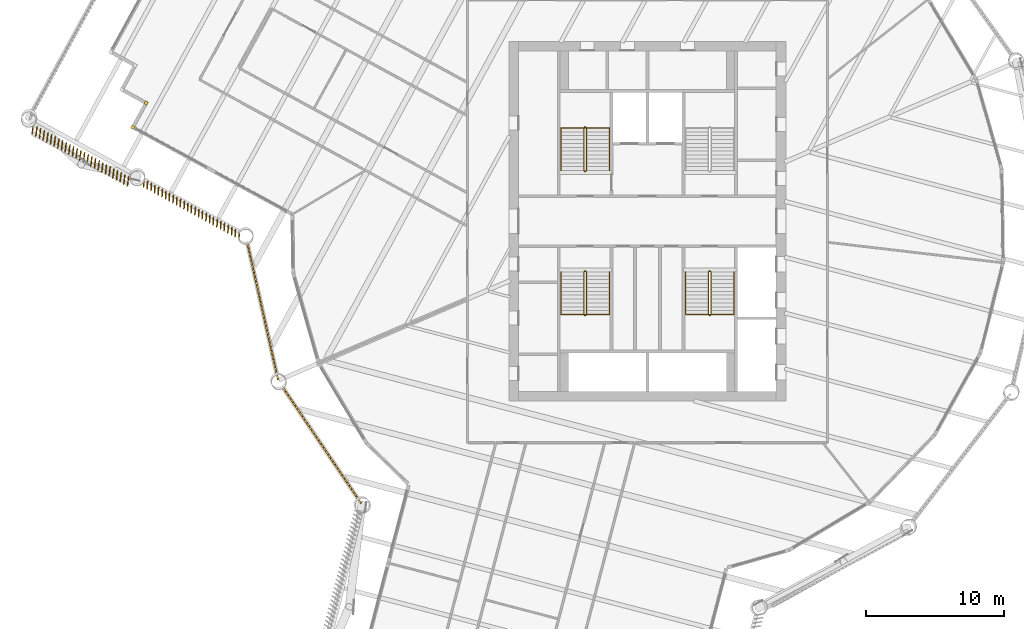
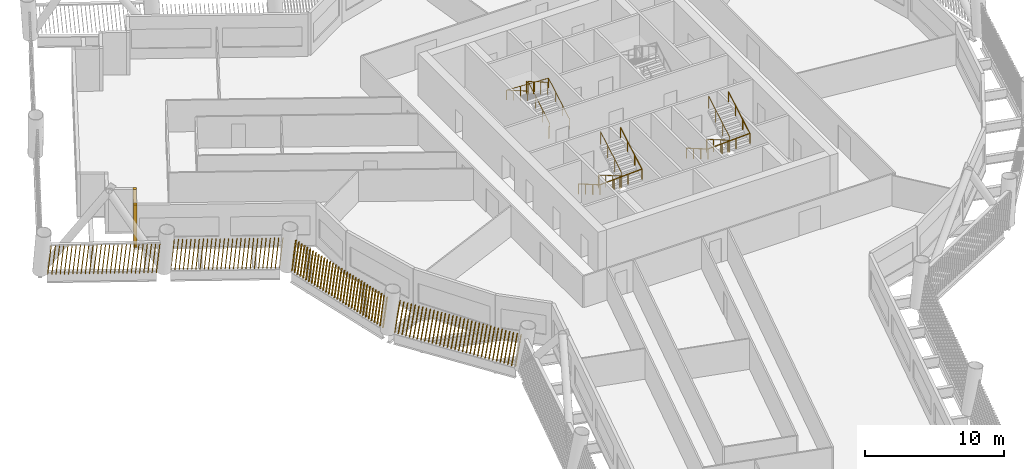
# One storey, part 21 of 24: 6 railings, 6 shading devices.
"""IFC4 building model written with IfcOpenShell, lengths in metres."""

from ifc_helpers import new_model, si_unit, direction, frame, frame_2d, origin, origin_2d, place, context, subcontext, project, spatial, rectangle, circle, composite_profile, extrude, material, type_object, element, save


model = new_model("IFC4")

# Units and contexts
model_context = context("Model", 3, precision=1e-05, world=origin(), true_north=direction((0.0, 1.0)))
body_context = subcontext(model_context, "Body", "Model", "MODEL_VIEW")
ifc_project = project(units=[si_unit("LENGTHUNIT", "METRE"), si_unit("AREAUNIT", "SQUARE_METRE"), si_unit("VOLUMEUNIT", "CUBIC_METRE"), si_unit("PLANEANGLEUNIT", "RADIAN"), si_unit("MASSUNIT", "GRAM", prefix="KILO")], contexts=[model_context])

# Site, building, storey
site_placement = place(None, origin())
site = spatial("IfcSite", under=ifc_project, at=site_placement, CompositionType="ELEMENT")
building_placement = place(site_placement, origin())
building = spatial("IfcBuilding", under=site, at=building_placement, Name="Tarsis Ring Headquarters", CompositionType="ELEMENT")
storey_placement = place(building_placement, frame((0.0, 0.0, 163.199951171875)))
storey = spatial("IfcBuildingStorey", under=building, at=storey_placement, Name="L37", CompositionType="ELEMENT", Elevation=163.199951171875)

# Railings
ifc_material_1 = material(Name="Steel S355", Category="steel")
railing_type_1 = type_object("IfcRailingType", Name="Core stair guard 1100", PredefinedType="GUARDRAIL", material=ifc_material_1)
railing_1_placement = place(storey_placement, frame((-4.5400390625, 3.610107421875, 0.0)))
element("IfcRailing", 1, at=railing_1_placement, inside=storey, type_object=railing_type_1, Name="L37 ST1 stair guard 1", PredefinedType="GUARDRAIL", context=body_context, shape_type="SweptSolid", body=[
    extrude(circle(Radius=0.02392578125, at=origin_2d()), frame((0.0, 0.0, 1.076171875), z_axis=(1.0, 0.0, 0.0), x_axis=(0.0, 1.0, 0.0)), (0.0, 0.0, 1.0), 0.080078125),
    extrude(circle(Radius=0.02392578125, at=origin_2d()), frame((0.080078125, 0.0, 1.076171875), z_axis=(0.282336740067, 0.280959487676, 0.917250092119), x_axis=(-0.705375805398, 0.708833529934, 0.0)), (0.0, 0.0, 1.0), 0.17724609375),
    extrude(circle(Radius=0.02392578125, at=origin_2d()), frame((0.130126953125, 0.0498046875, 1.23876953125), z_axis=(0.0, 0.864920483161, 0.501908913857), x_axis=(-1.0, 0.0, 0.0)), (0.0, 0.0, 1.0), 3.56103515625),
    extrude(circle(Radius=0.02392578125, at=origin_2d()), frame((0.130126953125, 3.1298828125, 3.02587890625), z_axis=(-0.707106781187, 0.707106781187, 0.0), x_axis=(-0.707106781187, -0.707106781187, 0.0)), (0.0, 0.0, 1.0), 0.07080078125),
    extrude(circle(Radius=0.02392578125, at=origin_2d()), frame((0.080078125, 3.179931640625, 3.02587890625), z_axis=(-1.0, 0.0, 0.0), x_axis=(0.0, -1.0, 0.0)), (0.0, 0.0, 1.0), 0.080078125),
    extrude(circle(Radius=0.02392578125, at=origin_2d()), frame((0.0, 3.179931640625, 3.02587890625), z_axis=(-0.282227285176, -0.282227285176, 0.916894497205), x_axis=(0.707106781187, -0.707106781187, 0.0)), (0.0, 0.0, 1.0), 0.17724609375),
    extrude(circle(Radius=0.02392578125, at=origin_2d()), frame((-0.050048828125, 3.1298828125, 3.1884765625), z_axis=(0.0, -0.864890721111, 0.501960198159), x_axis=(1.0, 0.0, 0.0)), (0.0, 0.0, 1.0), 3.561279296875),
    extrude(circle(Radius=0.02099609375, at=origin_2d()), origin(), (0.0, 0.0, 1.0), 1.052001953125),
    extrude(circle(Radius=0.02099609375, at=origin_2d()), frame((0.080078125, 0.0, 0.0)), (0.0, 0.0, 1.0), 1.052001953125),
    extrude(circle(Radius=0.02099609375, at=origin_2d()), frame((0.130126953125, 0.0498046875, 0.16259765625)), (0.0, 0.0, 1.0), 1.052001953125),
    extrude(circle(Radius=0.02099609375, at=origin_2d()), frame((0.130126953125, 1.076416015625, 0.75830078125)), (0.0, 0.0, 1.0), 1.052001953125),
    extrude(circle(Radius=0.02099609375, at=origin_2d()), frame((0.130126953125, 2.103271484375, 1.354248046875)), (0.0, 0.0, 1.0), 1.052001953125),
    extrude(circle(Radius=0.02099609375, at=origin_2d()), frame((0.130126953125, 3.1298828125, 1.949951171875)), (0.0, 0.0, 1.0), 1.052001953125),
    extrude(circle(Radius=0.02099609375, at=origin_2d()), frame((0.080078125, 3.179931640625, 1.949951171875)), (0.0, 0.0, 1.0), 1.052001953125),
    extrude(circle(Radius=0.02099609375, at=origin_2d()), frame((0.0, 3.179931640625, 1.949951171875)), (0.0, 0.0, 1.0), 1.052001953125),
    extrude(circle(Radius=0.02099609375, at=origin_2d()), frame((-0.050048828125, 3.1298828125, 2.112548828125)), (0.0, 0.0, 1.0), 1.052001953125),
    extrude(circle(Radius=0.02099609375, at=origin_2d()), frame((-0.050048828125, 2.103271484375, 2.70849609375)), (0.0, 0.0, 1.0), 1.052001953125),
    extrude(circle(Radius=0.02099609375, at=origin_2d()), frame((-0.050048828125, 1.076416015625, 3.30419921875)), (0.0, 0.0, 1.0), 1.052001953125),
    extrude(circle(Radius=0.02099609375, at=origin_2d()), frame((-0.050048828125, 0.0498046875, 3.900146484375)), (0.0, 0.0, 1.0), 1.052001953125),
])
railing_2_placement = place(storey_placement, frame((-4.4599609375, -3.610107421875, 0.0)))
element("IfcRailing", 2, at=railing_2_placement, inside=storey, type_object=railing_type_1, Name="L37 ST3 stair guard 1", PredefinedType="GUARDRAIL", context=body_context, shape_type="SweptSolid", body=[
    extrude(circle(Radius=0.02392578125, at=origin_2d()), frame((0.0, 0.0, 1.076171875), z_axis=(-1.0, 0.0, 0.0), x_axis=(0.0, -1.0, 0.0)), (0.0, 0.0, 1.0), 0.080078125),
    extrude(circle(Radius=0.02392578125, at=origin_2d()), frame((-0.080078125, 0.0, 1.076171875), z_axis=(-0.282336740067, -0.280959487676, 0.917250092119), x_axis=(0.705375805398, -0.708833529934, 0.0)), (0.0, 0.0, 1.0), 0.17724609375),
    extrude(circle(Radius=0.02392578125, at=origin_2d()), frame((-0.130126953125, -0.0498046875, 1.23876953125), z_axis=(0.0, -0.864920483161, 0.501908913857), x_axis=(1.0, 0.0, 0.0)), (0.0, 0.0, 1.0), 3.56103515625),
    extrude(circle(Radius=0.02392578125, at=origin_2d()), frame((-0.130126953125, -3.1298828125, 3.02587890625), z_axis=(0.707106781187, -0.707106781187, 0.0), x_axis=(0.707106781187, 0.707106781187, 0.0)), (0.0, 0.0, 1.0), 0.07080078125),
    extrude(circle(Radius=0.02392578125, at=origin_2d()), frame((-0.080078125, -3.179931640625, 3.02587890625), z_axis=(1.0, 0.0, 0.0), x_axis=(0.0, 1.0, 0.0)), (0.0, 0.0, 1.0), 0.080078125),
    extrude(circle(Radius=0.02392578125, at=origin_2d()), frame((0.0, -3.179931640625, 3.02587890625), z_axis=(0.282227285176, 0.282227285176, 0.916894497205), x_axis=(-0.707106781187, 0.707106781187, 0.0)), (0.0, 0.0, 1.0), 0.17724609375),
    extrude(circle(Radius=0.02392578125, at=origin_2d()), frame((0.050048828125, -3.1298828125, 3.1884765625), z_axis=(0.0, 0.864890721111, 0.501960198159), x_axis=(-1.0, 0.0, 0.0)), (0.0, 0.0, 1.0), 3.561279296875),
    extrude(circle(Radius=0.02099609375, at=origin_2d()), origin(), (0.0, 0.0, 1.0), 1.052001953125),
    extrude(circle(Radius=0.02099609375, at=origin_2d()), frame((-0.080078125, 0.0, 0.0)), (0.0, 0.0, 1.0), 1.052001953125),
    extrude(circle(Radius=0.02099609375, at=origin_2d()), frame((-0.130126953125, -0.0498046875, 0.16259765625)), (0.0, 0.0, 1.0), 1.052001953125),
    extrude(circle(Radius=0.02099609375, at=origin_2d()), frame((-0.130126953125, -1.076416015625, 0.75830078125)), (0.0, 0.0, 1.0), 1.052001953125),
    extrude(circle(Radius=0.02099609375, at=origin_2d()), frame((-0.130126953125, -2.103271484375, 1.354248046875)), (0.0, 0.0, 1.0), 1.052001953125),
    extrude(circle(Radius=0.02099609375, at=origin_2d()), frame((-0.130126953125, -3.1298828125, 1.949951171875)), (0.0, 0.0, 1.0), 1.052001953125),
    extrude(circle(Radius=0.02099609375, at=origin_2d()), frame((-0.080078125, -3.179931640625, 1.949951171875)), (0.0, 0.0, 1.0), 1.052001953125),
    extrude(circle(Radius=0.02099609375, at=origin_2d()), frame((0.0, -3.179931640625, 1.949951171875)), (0.0, 0.0, 1.0), 1.052001953125),
    extrude(circle(Radius=0.02099609375, at=origin_2d()), frame((0.050048828125, -3.1298828125, 2.112548828125)), (0.0, 0.0, 1.0), 1.052001953125),
    extrude(circle(Radius=0.02099609375, at=origin_2d()), frame((0.050048828125, -2.103271484375, 2.70849609375)), (0.0, 0.0, 1.0), 1.052001953125),
    extrude(circle(Radius=0.02099609375, at=origin_2d()), frame((0.050048828125, -1.076416015625, 3.30419921875)), (0.0, 0.0, 1.0), 1.052001953125),
    extrude(circle(Radius=0.02099609375, at=origin_2d()), frame((0.050048828125, -0.0498046875, 3.900146484375)), (0.0, 0.0, 1.0), 1.052001953125),
])
railing_3_placement = place(storey_placement, frame((4.5400390625, -3.610107421875, 0.0)))
element("IfcRailing", 3, at=railing_3_placement, inside=storey, type_object=railing_type_1, Name="L37 ST4 stair guard 1", PredefinedType="GUARDRAIL", context=body_context, shape_type="SweptSolid", body=[
    extrude(circle(Radius=0.02392578125, at=origin_2d()), frame((0.0, 0.0, 1.076171875), z_axis=(-1.0, 0.0, 0.0), x_axis=(0.0, -1.0, 0.0)), (0.0, 0.0, 1.0), 0.080078125),
    extrude(circle(Radius=0.02392578125, at=origin_2d()), frame((-0.080078125, 0.0, 1.076171875), z_axis=(-0.282336740067, -0.280959487676, 0.917250092119), x_axis=(0.705375805398, -0.708833529934, 0.0)), (0.0, 0.0, 1.0), 0.17724609375),
    extrude(circle(Radius=0.02392578125, at=origin_2d()), frame((-0.130126953125, -0.0498046875, 1.23876953125), z_axis=(0.0, -0.864920483161, 0.501908913857), x_axis=(1.0, 0.0, 0.0)), (0.0, 0.0, 1.0), 3.56103515625),
    extrude(circle(Radius=0.02392578125, at=origin_2d()), frame((-0.130126953125, -3.1298828125, 3.02587890625), z_axis=(0.707106781187, -0.707106781187, 0.0), x_axis=(0.707106781187, 0.707106781187, 0.0)), (0.0, 0.0, 1.0), 0.07080078125),
    extrude(circle(Radius=0.02392578125, at=origin_2d()), frame((-0.080078125, -3.179931640625, 3.02587890625), z_axis=(1.0, 0.0, 0.0), x_axis=(0.0, 1.0, 0.0)), (0.0, 0.0, 1.0), 0.080078125),
    extrude(circle(Radius=0.02392578125, at=origin_2d()), frame((0.0, -3.179931640625, 3.02587890625), z_axis=(0.282227285176, 0.282227285176, 0.916894497205), x_axis=(-0.707106781187, 0.707106781187, 0.0)), (0.0, 0.0, 1.0), 0.17724609375),
    extrude(circle(Radius=0.02392578125, at=origin_2d()), frame((0.050048828125, -3.1298828125, 3.1884765625), z_axis=(0.0, 0.864890721111, 0.501960198159), x_axis=(-1.0, 0.0, 0.0)), (0.0, 0.0, 1.0), 3.561279296875),
    extrude(circle(Radius=0.02099609375, at=origin_2d()), origin(), (0.0, 0.0, 1.0), 1.052001953125),
    extrude(circle(Radius=0.02099609375, at=origin_2d()), frame((-0.080078125, 0.0, 0.0)), (0.0, 0.0, 1.0), 1.052001953125),
    extrude(circle(Radius=0.02099609375, at=origin_2d()), frame((-0.130126953125, -0.0498046875, 0.16259765625)), (0.0, 0.0, 1.0), 1.052001953125),
    extrude(circle(Radius=0.02099609375, at=origin_2d()), frame((-0.130126953125, -1.076416015625, 0.75830078125)), (0.0, 0.0, 1.0), 1.052001953125),
    extrude(circle(Radius=0.02099609375, at=origin_2d()), frame((-0.130126953125, -2.103271484375, 1.354248046875)), (0.0, 0.0, 1.0), 1.052001953125),
    extrude(circle(Radius=0.02099609375, at=origin_2d()), frame((-0.130126953125, -3.1298828125, 1.949951171875)), (0.0, 0.0, 1.0), 1.052001953125),
    extrude(circle(Radius=0.02099609375, at=origin_2d()), frame((-0.080078125, -3.179931640625, 1.949951171875)), (0.0, 0.0, 1.0), 1.052001953125),
    extrude(circle(Radius=0.02099609375, at=origin_2d()), frame((0.0, -3.179931640625, 1.949951171875)), (0.0, 0.0, 1.0), 1.052001953125),
    extrude(circle(Radius=0.02099609375, at=origin_2d()), frame((0.050048828125, -3.1298828125, 2.112548828125)), (0.0, 0.0, 1.0), 1.052001953125),
    extrude(circle(Radius=0.02099609375, at=origin_2d()), frame((0.050048828125, -2.103271484375, 2.70849609375)), (0.0, 0.0, 1.0), 1.052001953125),
    extrude(circle(Radius=0.02099609375, at=origin_2d()), frame((0.050048828125, -1.076416015625, 3.30419921875)), (0.0, 0.0, 1.0), 1.052001953125),
    extrude(circle(Radius=0.02099609375, at=origin_2d()), frame((0.050048828125, -0.0498046875, 3.900146484375)), (0.0, 0.0, 1.0), 1.052001953125),
])
railing_type_2 = type_object("IfcRailingType", Name="Core stair handrail 900", PredefinedType="HANDRAIL", material=ifc_material_1)
railing_4_placement = place(storey_placement, frame((-2.75, 3.659912109375, 0.16259765625)))
element("IfcRailing", 4, at=railing_4_placement, inside=storey, type_object=railing_type_2, Name="L37 ST1 stair handrail 1", PredefinedType="HANDRAIL", context=body_context, shape_type="SweptSolid", body=[
    extrude(circle(Radius=0.02392578125, at=origin_2d()), frame((0.0, 0.0, 0.8759765625), z_axis=(0.0, 0.864920483161, 0.501908913857), x_axis=(-1.0, 0.0, 0.0)), (0.0, 0.0, 1.0), 3.56103515625),
    extrude(circle(Radius=0.02392578125, at=origin_2d()), frame((0.0, 3.080078125, 2.6630859375), z_axis=(-0.998922641604, 0.0, 0.046406422943), x_axis=(0.0, -1.0, 0.0)), (0.0, 0.0, 1.0), 3.503662109375),
    extrude(circle(Radius=0.02392578125, at=origin_2d()), frame((-3.5, 3.080078125, 2.82568359375), z_axis=(0.0, -0.864890721111, 0.501960198159), x_axis=(1.0, 0.0, 0.0)), (0.0, 0.0, 1.0), 3.561279296875),
    extrude(circle(Radius=0.02099609375, at=origin_2d()), origin(), (0.0, 0.0, 1.0), 0.851806640625),
    extrude(circle(Radius=0.02099609375, at=origin_2d()), frame((0.0, 1.026611328125, 0.595703125)), (0.0, 0.0, 1.0), 0.851806640625),
    extrude(circle(Radius=0.02099609375, at=origin_2d()), frame((0.0, 2.053466796875, 1.191650390625)), (0.0, 0.0, 1.0), 0.851806640625),
    extrude(circle(Radius=0.02099609375, at=origin_2d()), frame((0.0, 3.080078125, 1.787353515625)), (0.0, 0.0, 1.0), 0.851806640625),
    extrude(circle(Radius=0.02099609375, at=origin_2d()), frame((-1.166748046875, 3.080078125, 1.841552734375)), (0.0, 0.0, 1.0), 0.851806640625),
    extrude(circle(Radius=0.02099609375, at=origin_2d()), frame((-2.333251953125, 3.080078125, 1.895751953125)), (0.0, 0.0, 1.0), 0.851806640625),
    extrude(circle(Radius=0.02099609375, at=origin_2d()), frame((-3.5, 3.080078125, 1.949951171875)), (0.0, 0.0, 1.0), 0.851806640625),
    extrude(circle(Radius=0.02099609375, at=origin_2d()), frame((-3.5, 2.053466796875, 2.5458984375)), (0.0, 0.0, 1.0), 0.851806640625),
    extrude(circle(Radius=0.02099609375, at=origin_2d()), frame((-3.5, 1.026611328125, 3.1416015625)), (0.0, 0.0, 1.0), 0.851806640625),
    extrude(circle(Radius=0.02099609375, at=origin_2d()), frame((-3.5, 0.0, 3.737548828125)), (0.0, 0.0, 1.0), 0.851806640625),
])
railing_5_placement = place(storey_placement, frame((-6.25, -3.659912109375, 0.16259765625)))
element("IfcRailing", 5, at=railing_5_placement, inside=storey, type_object=railing_type_2, Name="L37 ST3 stair handrail 1", PredefinedType="HANDRAIL", context=body_context, shape_type="SweptSolid", body=[
    extrude(circle(Radius=0.02392578125, at=origin_2d()), frame((0.0, 0.0, 0.8759765625), z_axis=(0.0, -0.864920483161, 0.501908913857), x_axis=(1.0, 0.0, 0.0)), (0.0, 0.0, 1.0), 3.56103515625),
    extrude(circle(Radius=0.02392578125, at=origin_2d()), frame((0.0, -3.080078125, 2.6630859375), z_axis=(0.998922641604, 0.0, 0.046406422943), x_axis=(0.0, 1.0, 0.0)), (0.0, 0.0, 1.0), 3.503662109375),
    extrude(circle(Radius=0.02392578125, at=origin_2d()), frame((3.5, -3.080078125, 2.82568359375), z_axis=(0.0, 0.864890721111, 0.501960198159), x_axis=(-1.0, 0.0, 0.0)), (0.0, 0.0, 1.0), 3.561279296875),
    extrude(circle(Radius=0.02099609375, at=origin_2d()), origin(), (0.0, 0.0, 1.0), 0.851806640625),
    extrude(circle(Radius=0.02099609375, at=origin_2d()), frame((0.0, -1.026611328125, 0.595703125)), (0.0, 0.0, 1.0), 0.851806640625),
    extrude(circle(Radius=0.02099609375, at=origin_2d()), frame((0.0, -2.053466796875, 1.191650390625)), (0.0, 0.0, 1.0), 0.851806640625),
    extrude(circle(Radius=0.02099609375, at=origin_2d()), frame((0.0, -3.080078125, 1.787353515625)), (0.0, 0.0, 1.0), 0.851806640625),
    extrude(circle(Radius=0.02099609375, at=origin_2d()), frame((1.166748046875, -3.080078125, 1.841552734375)), (0.0, 0.0, 1.0), 0.851806640625),
    extrude(circle(Radius=0.02099609375, at=origin_2d()), frame((2.333251953125, -3.080078125, 1.895751953125)), (0.0, 0.0, 1.0), 0.851806640625),
    extrude(circle(Radius=0.02099609375, at=origin_2d()), frame((3.5, -3.080078125, 1.949951171875)), (0.0, 0.0, 1.0), 0.851806640625),
    extrude(circle(Radius=0.02099609375, at=origin_2d()), frame((3.5, -2.053466796875, 2.5458984375)), (0.0, 0.0, 1.0), 0.851806640625),
    extrude(circle(Radius=0.02099609375, at=origin_2d()), frame((3.5, -1.026611328125, 3.1416015625)), (0.0, 0.0, 1.0), 0.851806640625),
    extrude(circle(Radius=0.02099609375, at=origin_2d()), frame((3.5, 0.0, 3.737548828125)), (0.0, 0.0, 1.0), 0.851806640625),
])
railing_6_placement = place(storey_placement, frame((2.75, -3.659912109375, 0.16259765625)))
element("IfcRailing", 6, at=railing_6_placement, inside=storey, type_object=railing_type_2, Name="L37 ST4 stair handrail 1", PredefinedType="HANDRAIL", context=body_context, shape_type="SweptSolid", body=[
    extrude(circle(Radius=0.02392578125, at=origin_2d()), frame((0.0, 0.0, 0.8759765625), z_axis=(0.0, -0.864920483161, 0.501908913857), x_axis=(1.0, 0.0, 0.0)), (0.0, 0.0, 1.0), 3.56103515625),
    extrude(circle(Radius=0.02392578125, at=origin_2d()), frame((0.0, -3.080078125, 2.6630859375), z_axis=(0.998922641604, 0.0, 0.046406422943), x_axis=(0.0, 1.0, 0.0)), (0.0, 0.0, 1.0), 3.503662109375),
    extrude(circle(Radius=0.02392578125, at=origin_2d()), frame((3.5, -3.080078125, 2.82568359375), z_axis=(0.0, 0.864890721111, 0.501960198159), x_axis=(-1.0, 0.0, 0.0)), (0.0, 0.0, 1.0), 3.561279296875),
    extrude(circle(Radius=0.02099609375, at=origin_2d()), origin(), (0.0, 0.0, 1.0), 0.851806640625),
    extrude(circle(Radius=0.02099609375, at=origin_2d()), frame((0.0, -1.026611328125, 0.595703125)), (0.0, 0.0, 1.0), 0.851806640625),
    extrude(circle(Radius=0.02099609375, at=origin_2d()), frame((0.0, -2.053466796875, 1.191650390625)), (0.0, 0.0, 1.0), 0.851806640625),
    extrude(circle(Radius=0.02099609375, at=origin_2d()), frame((0.0, -3.080078125, 1.787353515625)), (0.0, 0.0, 1.0), 0.851806640625),
    extrude(circle(Radius=0.02099609375, at=origin_2d()), frame((1.166748046875, -3.080078125, 1.841552734375)), (0.0, 0.0, 1.0), 0.851806640625),
    extrude(circle(Radius=0.02099609375, at=origin_2d()), frame((2.333251953125, -3.080078125, 1.895751953125)), (0.0, 0.0, 1.0), 0.851806640625),
    extrude(circle(Radius=0.02099609375, at=origin_2d()), frame((3.5, -3.080078125, 1.949951171875)), (0.0, 0.0, 1.0), 0.851806640625),
    extrude(circle(Radius=0.02099609375, at=origin_2d()), frame((3.5, -2.053466796875, 2.5458984375)), (0.0, 0.0, 1.0), 0.851806640625),
    extrude(circle(Radius=0.02099609375, at=origin_2d()), frame((3.5, -1.026611328125, 3.1416015625)), (0.0, 0.0, 1.0), 0.851806640625),
    extrude(circle(Radius=0.02099609375, at=origin_2d()), frame((3.5, 0.0, 3.737548828125)), (0.0, 0.0, 1.0), 0.851806640625),
])

# Shading devices
ifc_material_2 = material(Name="Terracotta baguette", Category="masonry")
shading_device_type_1 = type_object("IfcShadingDeviceType", Name="Terracotta baguette screen", PredefinedType="USERDEFINED", material=ifc_material_2)
shading_device_1_placement = place(storey_placement, frame((-26.3916015625, -11.923095703125, 0.0), z_axis=(0.0, 0.0, 1.0), x_axis=(0.559550281074, -0.828782011243, 0.0)))
element("IfcShadingDevice", 7, at=shading_device_1_placement, inside=storey, type_object=shading_device_type_1, Name="Baguette screen L37-00", ObjectType="Terracotta baguette screen", PredefinedType="USERDEFINED", context=body_context, shape_type="SweptSolid", body=[
    extrude(composite_profile([rectangle(XDim=0.06005859375, YDim=0.1201171875, at=frame_2d((0.030029296875, 0.0))), rectangle(XDim=0.06005859375, YDim=0.1201171875, at=frame_2d((0.33349609375, 0.0))), rectangle(XDim=0.06005859375, YDim=0.1201171875, at=frame_2d((0.636962890625, 0.0))), rectangle(XDim=0.06005859375, YDim=0.1201171875, at=frame_2d((0.9404296875, 0.0))), rectangle(XDim=0.06005859375, YDim=0.1201171875, at=frame_2d((1.243896484375, 0.0))), rectangle(XDim=0.06005859375, YDim=0.1201171875, at=frame_2d((1.54736328125, 0.0))), rectangle(XDim=0.06005859375, YDim=0.1201171875, at=frame_2d((1.85107421875, 0.0))), rectangle(XDim=0.06005859375, YDim=0.1201171875, at=frame_2d((2.154541015625, 0.0))), rectangle(XDim=0.06005859375, YDim=0.1201171875, at=frame_2d((2.4580078125, 0.0))), rectangle(XDim=0.06005859375, YDim=0.1201171875, at=frame_2d((2.761474609375, 0.0))), rectangle(XDim=0.06005859375, YDim=0.1201171875, at=frame_2d((3.06494140625, 0.0))), rectangle(XDim=0.06005859375, YDim=0.1201171875, at=frame_2d((3.368408203125, 0.0))), rectangle(XDim=0.06005859375, YDim=0.1201171875, at=frame_2d((3.671875, 0.0))), rectangle(XDim=0.06005859375, YDim=0.1201171875, at=frame_2d((3.975341796875, 0.0))), rectangle(XDim=0.06005859375, YDim=0.1201171875, at=frame_2d((4.27880859375, 0.0))), rectangle(XDim=0.06005859375, YDim=0.1201171875, at=frame_2d((4.582275390625, 0.0))), rectangle(XDim=0.06005859375, YDim=0.1201171875, at=frame_2d((4.8857421875, 0.0))), rectangle(XDim=0.06005859375, YDim=0.1201171875, at=frame_2d((5.189453125, 0.0))), rectangle(XDim=0.06005859375, YDim=0.1201171875, at=frame_2d((5.492919921875, 0.0))), rectangle(XDim=0.06005859375, YDim=0.1201171875, at=frame_2d((5.79638671875, 0.0))), rectangle(XDim=0.06005859375, YDim=0.1201171875, at=frame_2d((6.099853515625, 0.0))), rectangle(XDim=0.06005859375, YDim=0.1201171875, at=frame_2d((6.4033203125, 0.0))), rectangle(XDim=0.06005859375, YDim=0.1201171875, at=frame_2d((6.706787109375, 0.0))), rectangle(XDim=0.06005859375, YDim=0.1201171875, at=frame_2d((7.01025390625, 0.0))), rectangle(XDim=0.06005859375, YDim=0.1201171875, at=frame_2d((7.313720703125, 0.0))), rectangle(XDim=0.06005859375, YDim=0.1201171875, at=frame_2d((7.6171875, 0.0))), rectangle(XDim=0.06005859375, YDim=0.1201171875, at=frame_2d((7.920654296875, 0.0))), rectangle(XDim=0.06005859375, YDim=0.1201171875, at=frame_2d((8.224365234375, 0.0))), rectangle(XDim=0.06005859375, YDim=0.1201171875, at=frame_2d((8.52783203125, 0.0))), rectangle(XDim=0.06005859375, YDim=0.1201171875, at=frame_2d((8.831298828125, 0.0))), rectangle(XDim=0.06005859375, YDim=0.1201171875, at=frame_2d((9.134765625, 0.0))), rectangle(XDim=0.06005859375, YDim=0.1201171875, at=frame_2d((9.438232421875, 0.0))), rectangle(XDim=0.06005859375, YDim=0.1201171875, at=frame_2d((9.74169921875, 0.0)))]), origin(), (0.150262593586, 0.001179956242, 0.988645417059), 2.98388671875),
])
shading_device_2_placement = place(storey_placement, frame((-44.3955078125, 6.9716796875, 0.0), z_axis=(0.0, 0.0, 1.0), x_axis=(0.877498686934, -0.479593413044, 0.0)))
element("IfcShadingDevice", 8, at=shading_device_2_placement, inside=storey, type_object=shading_device_type_1, Name="Baguette screen L37-19", ObjectType="Terracotta baguette screen", PredefinedType="USERDEFINED", context=body_context, shape_type="SweptSolid", body=[
    extrude(composite_profile([rectangle(XDim=0.06005859375, YDim=0.1201171875, at=frame_2d((0.030029296875, 0.0))), rectangle(XDim=0.06005859375, YDim=0.1201171875, at=frame_2d((0.33154296875, 0.0))), rectangle(XDim=0.06005859375, YDim=0.1201171875, at=frame_2d((0.63330078125, 0.0))), rectangle(XDim=0.06005859375, YDim=0.1201171875, at=frame_2d((0.934814453125, 0.0))), rectangle(XDim=0.06005859375, YDim=0.1201171875, at=frame_2d((1.236572265625, 0.0))), rectangle(XDim=0.06005859375, YDim=0.1201171875, at=frame_2d((1.5380859375, 0.0))), rectangle(XDim=0.06005859375, YDim=0.1201171875, at=frame_2d((1.83984375, 0.0))), rectangle(XDim=0.06005859375, YDim=0.1201171875, at=frame_2d((2.141357421875, 0.0))), rectangle(XDim=0.06005859375, YDim=0.1201171875, at=frame_2d((2.443115234375, 0.0))), rectangle(XDim=0.06005859375, YDim=0.1201171875, at=frame_2d((2.74462890625, 0.0))), rectangle(XDim=0.06005859375, YDim=0.1201171875, at=frame_2d((3.04638671875, 0.0))), rectangle(XDim=0.06005859375, YDim=0.1201171875, at=frame_2d((3.347900390625, 0.0))), rectangle(XDim=0.06005859375, YDim=0.1201171875, at=frame_2d((3.649658203125, 0.0))), rectangle(XDim=0.06005859375, YDim=0.1201171875, at=frame_2d((3.951171875, 0.0))), rectangle(XDim=0.06005859375, YDim=0.1201171875, at=frame_2d((4.252685546875, 0.0))), rectangle(XDim=0.06005859375, YDim=0.1201171875, at=frame_2d((4.554443359375, 0.0))), rectangle(XDim=0.06005859375, YDim=0.1201171875, at=frame_2d((4.85595703125, 0.0))), rectangle(XDim=0.06005859375, YDim=0.1201171875, at=frame_2d((5.15771484375, 0.0))), rectangle(XDim=0.06005859375, YDim=0.1201171875, at=frame_2d((5.459228515625, 0.0))), rectangle(XDim=0.06005859375, YDim=0.1201171875, at=frame_2d((5.760986328125, 0.0))), rectangle(XDim=0.06005859375, YDim=0.1201171875, at=frame_2d((6.0625, 0.0))), rectangle(XDim=0.06005859375, YDim=0.1201171875, at=frame_2d((6.3642578125, 0.0))), rectangle(XDim=0.06005859375, YDim=0.1201171875, at=frame_2d((6.665771484375, 0.0))), rectangle(XDim=0.06005859375, YDim=0.1201171875, at=frame_2d((6.967529296875, 0.0))), rectangle(XDim=0.06005859375, YDim=0.1201171875, at=frame_2d((7.26904296875, 0.0))), rectangle(XDim=0.06005859375, YDim=0.1201171875, at=frame_2d((7.57080078125, 0.0))), rectangle(XDim=0.06005859375, YDim=0.1201171875, at=frame_2d((7.872314453125, 0.0)))]), origin(), (0.080482125781, -0.198823391873, 0.976725082239), 3.020263671875),
])
shading_device_3_placement = place(storey_placement, frame((-36.404052734375, 3.03125, 0.0), z_axis=(0.0, 0.0, 1.0), x_axis=(0.877471576866, -0.479609490855, 0.0)))
element("IfcShadingDevice", 9, at=shading_device_3_placement, inside=storey, type_object=shading_device_type_1, Name="Baguette screen L37-20", ObjectType="Terracotta baguette screen", PredefinedType="USERDEFINED", context=body_context, shape_type="SweptSolid", body=[
    extrude(composite_profile([rectangle(XDim=0.06005859375, YDim=0.1201171875, at=frame_2d((0.030029296875, 0.0))), rectangle(XDim=0.06005859375, YDim=0.1201171875, at=frame_2d((0.33154296875, 0.0))), rectangle(XDim=0.06005859375, YDim=0.1201171875, at=frame_2d((0.63330078125, 0.0))), rectangle(XDim=0.06005859375, YDim=0.1201171875, at=frame_2d((0.934814453125, 0.0))), rectangle(XDim=0.06005859375, YDim=0.1201171875, at=frame_2d((1.236572265625, 0.0))), rectangle(XDim=0.06005859375, YDim=0.1201171875, at=frame_2d((1.5380859375, 0.0))), rectangle(XDim=0.06005859375, YDim=0.1201171875, at=frame_2d((1.83984375, 0.0))), rectangle(XDim=0.06005859375, YDim=0.1201171875, at=frame_2d((2.141357421875, 0.0))), rectangle(XDim=0.06005859375, YDim=0.1201171875, at=frame_2d((2.443115234375, 0.0))), rectangle(XDim=0.06005859375, YDim=0.1201171875, at=frame_2d((2.74462890625, 0.0))), rectangle(XDim=0.06005859375, YDim=0.1201171875, at=frame_2d((3.04638671875, 0.0))), rectangle(XDim=0.06005859375, YDim=0.1201171875, at=frame_2d((3.347900390625, 0.0))), rectangle(XDim=0.06005859375, YDim=0.1201171875, at=frame_2d((3.649658203125, 0.0))), rectangle(XDim=0.06005859375, YDim=0.1201171875, at=frame_2d((3.951171875, 0.0))), rectangle(XDim=0.06005859375, YDim=0.1201171875, at=frame_2d((4.252685546875, 0.0))), rectangle(XDim=0.06005859375, YDim=0.1201171875, at=frame_2d((4.554443359375, 0.0))), rectangle(XDim=0.06005859375, YDim=0.1201171875, at=frame_2d((4.85595703125, 0.0))), rectangle(XDim=0.06005859375, YDim=0.1201171875, at=frame_2d((5.15771484375, 0.0))), rectangle(XDim=0.06005859375, YDim=0.1201171875, at=frame_2d((5.459228515625, 0.0))), rectangle(XDim=0.06005859375, YDim=0.1201171875, at=frame_2d((5.760986328125, 0.0))), rectangle(XDim=0.06005859375, YDim=0.1201171875, at=frame_2d((6.0625, 0.0))), rectangle(XDim=0.06005859375, YDim=0.1201171875, at=frame_2d((6.3642578125, 0.0))), rectangle(XDim=0.06005859375, YDim=0.1201171875, at=frame_2d((6.665771484375, 0.0))), rectangle(XDim=0.06005859375, YDim=0.1201171875, at=frame_2d((6.967529296875, 0.0))), rectangle(XDim=0.06005859375, YDim=0.1201171875, at=frame_2d((7.26904296875, 0.0))), rectangle(XDim=0.06005859375, YDim=0.1201171875, at=frame_2d((7.57080078125, 0.0))), rectangle(XDim=0.06005859375, YDim=0.1201171875, at=frame_2d((7.872314453125, 0.0)))]), origin(), (0.078830618244, -0.15382063296, 0.984949210113), 2.9951171875),
])
shading_device_4_placement = place(storey_placement, frame((-28.921875, -1.486328125, 0.0), z_axis=(0.0, 0.0, 1.0), x_axis=(0.219088069956, -0.975715178014, 0.0)))
element("IfcShadingDevice", 10, at=shading_device_4_placement, inside=storey, type_object=shading_device_type_1, Name="Baguette screen L37-21", ObjectType="Terracotta baguette screen", PredefinedType="USERDEFINED", context=body_context, shape_type="SweptSolid", body=[
    extrude(composite_profile([rectangle(XDim=0.06005859375, YDim=0.1201171875, at=frame_2d((0.030029296875, 0.0))), rectangle(XDim=0.06005859375, YDim=0.1201171875, at=frame_2d((0.33349609375, 0.0))), rectangle(XDim=0.06005859375, YDim=0.1201171875, at=frame_2d((0.636962890625, 0.0))), rectangle(XDim=0.06005859375, YDim=0.1201171875, at=frame_2d((0.9404296875, 0.0))), rectangle(XDim=0.06005859375, YDim=0.1201171875, at=frame_2d((1.243896484375, 0.0))), rectangle(XDim=0.06005859375, YDim=0.1201171875, at=frame_2d((1.54736328125, 0.0))), rectangle(XDim=0.06005859375, YDim=0.1201171875, at=frame_2d((1.85107421875, 0.0))), rectangle(XDim=0.06005859375, YDim=0.1201171875, at=frame_2d((2.154541015625, 0.0))), rectangle(XDim=0.06005859375, YDim=0.1201171875, at=frame_2d((2.4580078125, 0.0))), rectangle(XDim=0.06005859375, YDim=0.1201171875, at=frame_2d((2.761474609375, 0.0))), rectangle(XDim=0.06005859375, YDim=0.1201171875, at=frame_2d((3.06494140625, 0.0))), rectangle(XDim=0.06005859375, YDim=0.1201171875, at=frame_2d((3.368408203125, 0.0))), rectangle(XDim=0.06005859375, YDim=0.1201171875, at=frame_2d((3.671875, 0.0))), rectangle(XDim=0.06005859375, YDim=0.1201171875, at=frame_2d((3.975341796875, 0.0))), rectangle(XDim=0.06005859375, YDim=0.1201171875, at=frame_2d((4.27880859375, 0.0))), rectangle(XDim=0.06005859375, YDim=0.1201171875, at=frame_2d((4.582275390625, 0.0))), rectangle(XDim=0.06005859375, YDim=0.1201171875, at=frame_2d((4.8857421875, 0.0))), rectangle(XDim=0.06005859375, YDim=0.1201171875, at=frame_2d((5.189453125, 0.0))), rectangle(XDim=0.06005859375, YDim=0.1201171875, at=frame_2d((5.492919921875, 0.0))), rectangle(XDim=0.06005859375, YDim=0.1201171875, at=frame_2d((5.79638671875, 0.0))), rectangle(XDim=0.06005859375, YDim=0.1201171875, at=frame_2d((6.099853515625, 0.0))), rectangle(XDim=0.06005859375, YDim=0.1201171875, at=frame_2d((6.4033203125, 0.0))), rectangle(XDim=0.06005859375, YDim=0.1201171875, at=frame_2d((6.706787109375, 0.0))), rectangle(XDim=0.06005859375, YDim=0.1201171875, at=frame_2d((7.01025390625, 0.0))), rectangle(XDim=0.06005859375, YDim=0.1201171875, at=frame_2d((7.313720703125, 0.0))), rectangle(XDim=0.06005859375, YDim=0.1201171875, at=frame_2d((7.6171875, 0.0))), rectangle(XDim=0.06005859375, YDim=0.1201171875, at=frame_2d((7.920654296875, 0.0))), rectangle(XDim=0.06005859375, YDim=0.1201171875, at=frame_2d((8.224365234375, 0.0))), rectangle(XDim=0.06005859375, YDim=0.1201171875, at=frame_2d((8.52783203125, 0.0))), rectangle(XDim=0.06005859375, YDim=0.1201171875, at=frame_2d((8.831298828125, 0.0))), rectangle(XDim=0.06005859375, YDim=0.1201171875, at=frame_2d((9.134765625, 0.0))), rectangle(XDim=0.06005859375, YDim=0.1201171875, at=frame_2d((9.438232421875, 0.0))), rectangle(XDim=0.06005859375, YDim=0.1201171875, at=frame_2d((9.74169921875, 0.0)))]), origin(), (0.150265534362, 0.001179545629, 0.988644970581), 2.98388671875),
])
shading_device_type_2 = type_object("IfcShadingDeviceType", Name="Terracotta corner baguette 250x250", PredefinedType="USERDEFINED", material=ifc_material_2)
for number, where, z_axis, x_axis, name in (
    (11, (-37.175048828125, 6.785888671875, 0.0), (0.0, 0.0, 1.0), (-0.479610710624, -0.877481376586, 0.0), "Corner baguette L37-01"),
    (12, (-36.2158203125, 8.541015625, 0.0), (0.0, 0.0, 1.0), (0.877481284507, -0.479610879088, 0.0), "Corner baguette L37-40"),
):
    element("IfcShadingDevice", number, at=place(storey_placement, frame(where, z_axis=z_axis, x_axis=x_axis)), inside=storey, type_object=shading_device_type_2, Name=name, ObjectType="Terracotta corner baguette", PredefinedType="USERDEFINED", context=body_context, shape_type="SweptSolid", body=[
        extrude(rectangle(XDim=0.25, YDim=0.25, at=origin_2d()), origin(), (0.0, 0.0, 1.0), 3.739990234375),
    ])

save(model, "model.ifc")
